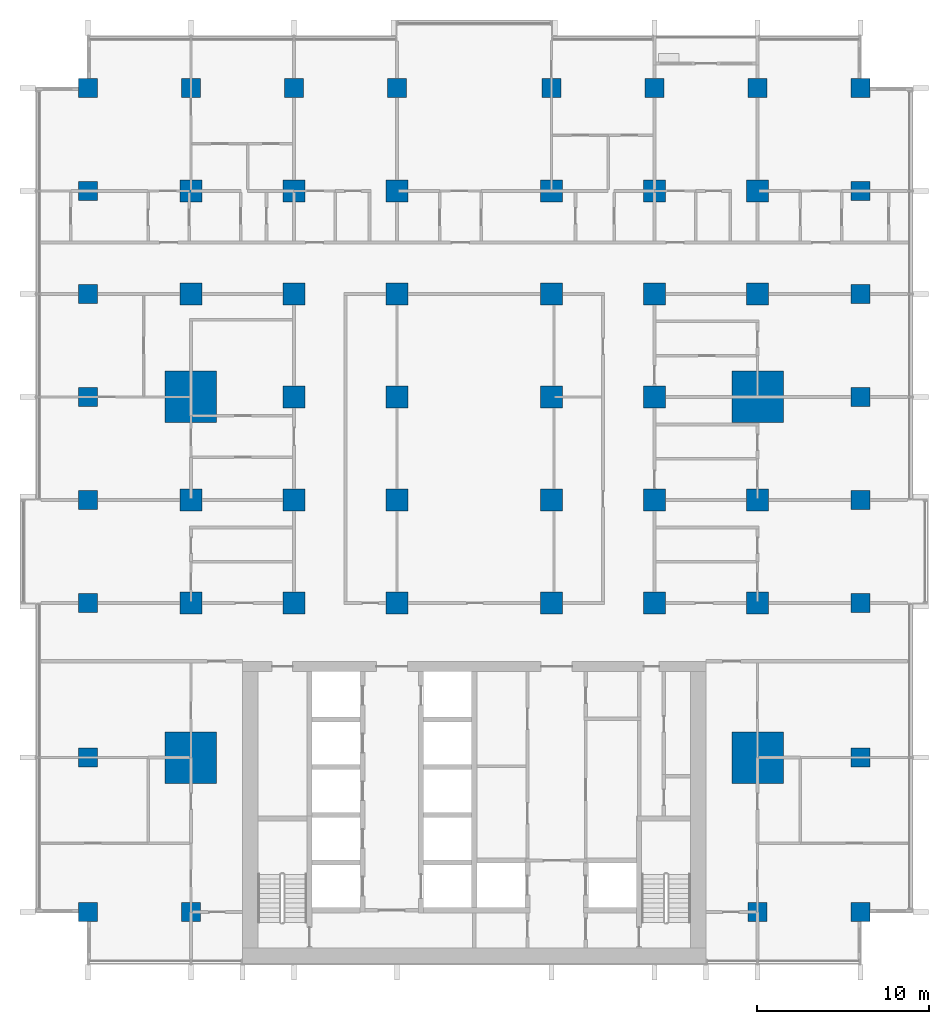
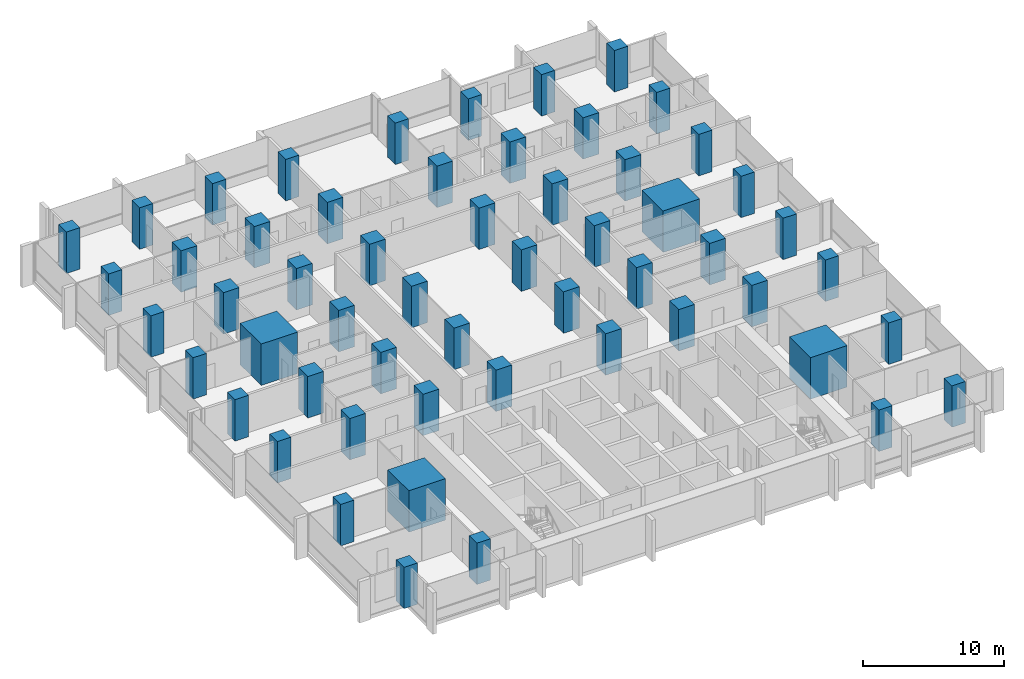
# One storey, part 1 of 18: 56 columns.
"""IFC4 building model written with IfcOpenShell, lengths in metres."""

import ifcopenshell
import ifcopenshell.guid

model = None  # the IFC model being written
_history = None  # IfcOwnerHistory: only IFC2X3 demands one
_inside = {}  # id of a spatial element -> (the spatial element, [elements in it])
_under = {}  # id of a project, library or spatial element -> (it, [spatial elements below it])
_declared = {}  # id of a project -> (the project, [libraries it declares])
_typed = {}  # id of a type object -> (the type object, [elements of that type])
_made_of = {}  # id of a material, layer set ... -> (it, [elements and type objects made of it])


def new_model(schema):
    """Start an empty IFC model of exactly this schema.

    Asked for "IFC4X3", IfcOpenShell would pick the latest addendum, in which some entities
    have other attributes; the version numbers below select the first issue.
    IFC2X3 requires an IfcOwnerHistory on every rooted entity: one is made here for all.
    """
    global model, _history
    if schema == "IFC4X3":
        model = ifcopenshell.file(schema_version=(4, 3, 0, 0))
    else:
        model = ifcopenshell.file(schema=schema)
    _inside.clear()
    _under.clear()
    _declared.clear()
    _typed.clear()
    _made_of.clear()
    _history = None
    if model.schema == "IFC2X3":
        org = make("IfcOrganization", Name="unknown")
        user = make(
            "IfcPersonAndOrganization",
            ThePerson=make("IfcPerson", FamilyName="unknown"),
            TheOrganization=org,
        )
        app = make(
            "IfcApplication",
            ApplicationDeveloper=org,
            Version="unknown",
            ApplicationFullName="unknown",
            ApplicationIdentifier="unknown",
        )
        _history = make(
            "IfcOwnerHistory",
            OwningUser=user,
            OwningApplication=app,
            ChangeAction="ADDED",
            CreationDate=0,
        )
    return model


def make(cls, **values):
    """One entity of the class cls with the attributes given. An attribute that is None is left unset."""
    return model.create_entity(
        cls, **{name: value for name, value in values.items() if value is not None}
    )


def rooted(cls, **values):
    """An entity with a GlobalId (a new one), such as an element, a storey or a relation."""
    return make(cls, GlobalId=ifcopenshell.guid.new(), OwnerHistory=_history, **values)


def si_unit(unit_type, name, prefix=None):
    """IfcSIUnit, for example si_unit("LENGTHUNIT", "METRE", prefix="MILLI")."""
    return make("IfcSIUnit", UnitType=unit_type, Prefix=prefix, Name=name)


def assignment(units):
    """IfcUnitAssignment: the units of a project."""
    return None if units is None else make("IfcUnitAssignment", Units=units)


def point(xyz):
    """IfcCartesianPoint."""
    return None if xyz is None else make("IfcCartesianPoint", Coordinates=xyz)


def direction(xyz):
    """IfcDirection."""
    return None if xyz is None else make("IfcDirection", DirectionRatios=xyz)


def frame(location, z_axis=None, x_axis=None):
    """IfcAxis2Placement3D, a coordinate frame: its origin and axes. An axis left out is left unset."""
    return make(
        "IfcAxis2Placement3D",
        Location=point(location),
        Axis=direction(z_axis),
        RefDirection=direction(x_axis),
    )


def frame_2d(location, x_axis=None):
    """IfcAxis2Placement2D, a coordinate frame in the plane: its origin and x axis."""
    return make(
        "IfcAxis2Placement2D", Location=point(location), RefDirection=direction(x_axis)
    )


def origin():
    """The frame at (0, 0, 0) with its axes left unset."""
    return frame((0.0, 0.0, 0.0))


def origin_2d():
    """The frame at (0, 0) in the plane with its x axis left unset."""
    return frame_2d((0.0, 0.0))


def place(relative_to, where):
    """IfcLocalPlacement: puts the frame where relative to a parent placement (None: the world)."""
    return make(
        "IfcLocalPlacement", PlacementRelTo=relative_to, RelativePlacement=where
    )


def context(
    kind, dimensions, precision=None, world=None, true_north=None, identifier=None
):
    """IfcGeometricRepresentationContext, for example the 3D "Model" context."""
    return make(
        "IfcGeometricRepresentationContext",
        ContextIdentifier=identifier,
        ContextType=kind,
        CoordinateSpaceDimension=dimensions,
        Precision=precision,
        WorldCoordinateSystem=world,
        TrueNorth=true_north,
    )


def subcontext(parent, identifier, kind, view, scale=None):
    """IfcGeometricRepresentationSubContext, for example "Body" below "Model"."""
    return make(
        "IfcGeometricRepresentationSubContext",
        ContextIdentifier=identifier,
        ContextType=kind,
        ParentContext=parent,
        TargetScale=scale,
        TargetView=view,
    )


def project(units=None, contexts=None):
    """IfcProject with its units and contexts."""
    return rooted(
        "IfcProject",
        Name="project",
        RepresentationContexts=contexts,
        UnitsInContext=assignment(units),
    )


def spatial(cls, under=None, at=None, **own):
    """A site, building, storey or space (cls), placed at a placement, below another one or the project."""
    s = rooted(cls, ObjectPlacement=at, **own)
    if under is not None:
        _under.setdefault(under.id(), (under, []))[1].append(s)
    return s


def profile(cls, at=None, kind="AREA", **sizes):
    """A parametric profile (cls). Its sizes go by their IFC names, for example OverallWidth=200.0."""
    return make(cls, ProfileType=kind, Position=at, **sizes)


def rectangle(**sizes):
    """IfcRectangleProfileDef."""
    return profile("IfcRectangleProfileDef", **sizes)


def extrude(swept, where, along, depth):
    """IfcExtrudedAreaSolid: the profile swept, set in the frame where, extruded along a direction by depth."""
    return make(
        "IfcExtrudedAreaSolid",
        SweptArea=swept,
        Position=where,
        ExtrudedDirection=direction(along),
        Depth=depth,
    )


def shape(context_of_items, identifier, shape_type, items):
    """IfcShapeRepresentation: the items that make up one representation, for example the "Body"."""
    return make(
        "IfcShapeRepresentation",
        ContextOfItems=context_of_items,
        RepresentationIdentifier=identifier,
        RepresentationType=shape_type,
        Items=items,
    )


def material(Name=None, Category=None):
    """IfcMaterial."""
    return make("IfcMaterial", Name=Name, Category=Category)


def material_profile(
    of_material, cross_section, Name=None, Category=None, Priority=None
):
    """IfcMaterialProfile: a cross section and its material."""
    return make(
        "IfcMaterialProfile",
        Name=Name,
        Material=of_material,
        Profile=cross_section,
        Priority=Priority,
        Category=Category,
    )


def profile_set(profiles, Name=None, composite=None):
    """IfcMaterialProfileSet."""
    return make(
        "IfcMaterialProfileSet",
        Name=Name,
        MaterialProfiles=profiles,
        CompositeProfile=composite,
    )


def made_of(thing, what):
    """Note that an element or type object is made of a material, layer set ...; save() writes the relation."""
    if what is not None:
        _made_of.setdefault(what.id(), (what, []))[1].append(thing)
    return thing


def type_object(cls, material=None, **own):
    """A type object (cls), such as IfcWallType, which elements share."""
    return made_of(rooted(cls, **own), material)


def element(
    cls,
    number,
    at=None,
    inside=None,
    cuts=None,
    type_object=None,
    material=None,
    context=None,
    identifier="Body",
    shape_type=None,
    held_by="IfcProductDefinitionShape",
    body=None,
    shapes=None,
    **own,
):
    """One element of the class cls, such as IfcWall. Its Tag is "e" and its number.

    at: its placement. inside: the storey or other place that contains it. cuts: it is an
    opening in that element (IfcRelVoidsElement). A single representation is given by context,
    identifier, shape_type and body (its items); several are given by shapes. held_by: the class
    of the entity that holds the representations. save() writes the other relations.
    """
    e = rooted(cls, Tag="e%d" % number, ObjectPlacement=at, **own)
    if body is not None:
        shapes = [shape(context, identifier, shape_type, body)]
    if shapes is not None:
        e.Representation = make(held_by, Representations=shapes)
    if inside is not None:
        _inside.setdefault(inside.id(), (inside, []))[1].append(e)
    if cuts is not None:
        rooted(
            "IfcRelVoidsElement", RelatingBuildingElement=cuts, RelatedOpeningElement=e
        )
    if type_object is not None:
        _typed.setdefault(type_object.id(), (type_object, []))[1].append(e)
    return made_of(e, material)


def aggregate(whole, parts):
    """IfcRelAggregates: a whole, such as a stair, and the parts it consists of."""
    return rooted("IfcRelAggregates", RelatingObject=whole, RelatedObjects=parts)


def save(model, path):
    """Write the relations noted so far, then the file.

    IfcRelAggregates (storeys below a building ...), IfcRelContainedInSpatialStructure (elements
    in a storey), IfcRelDefinesByType, IfcRelAssociatesMaterial and IfcRelDeclares: one each for
    every whole, place, type object, material and project.
    """
    for whole, parts in _under.values():
        aggregate(whole, parts)
    for where, things in _inside.values():
        rooted(
            "IfcRelContainedInSpatialStructure",
            RelatedElements=things,
            RelatingStructure=where,
        )
    for kind, things in _typed.values():
        rooted("IfcRelDefinesByType", RelatedObjects=things, RelatingType=kind)
    for what, things in _made_of.values():
        rooted("IfcRelAssociatesMaterial", RelatedObjects=things, RelatingMaterial=what)
    for by, libraries in _declared.values():
        rooted("IfcRelDeclares", RelatingContext=by, RelatedDefinitions=libraries)
    model.write(path)


model = new_model("IFC4")

# Units and contexts
model_context = context("Model", 3, precision=1e-05, world=origin(), true_north=direction((0.0, 1.0)))
body_context = subcontext(model_context, "Body", "Model", "MODEL_VIEW")
ifc_project = project(units=[si_unit("LENGTHUNIT", "METRE"), si_unit("AREAUNIT", "SQUARE_METRE"), si_unit("VOLUMEUNIT", "CUBIC_METRE"), si_unit("PLANEANGLEUNIT", "RADIAN"), si_unit("MASSUNIT", "GRAM", prefix="KILO")], contexts=[model_context])

# Site, building, storey
site_placement = place(None, origin())
site = spatial("IfcSite", under=ifc_project, at=site_placement, CompositionType="ELEMENT")
building_placement = place(site_placement, origin())
building = spatial("IfcBuilding", under=site, at=building_placement, Name="Finial Court Residences", CompositionType="ELEMENT")
storey_placement = place(building_placement, frame((0.0, 0.0, 57.699951171875)))
storey = spatial("IfcBuildingStorey", under=building, at=storey_placement, Name="L13", CompositionType="ELEMENT", Elevation=57.699951171875)

# Columns
ifc_material = material(Name="Concrete C80/95", Category="concrete")
ifc_material_profile_1 = material_profile(ifc_material, rectangle(XDim=1.300048828125, YDim=1.300048828125, at=origin_2d()), Name="1300x1300")
ifc_profile_set_1 = profile_set([ifc_material_profile_1], Name="Concrete C80/95")
column_type_1 = type_object("IfcColumnType", Name="Interior column 1300x1300 Concrete C80/95", PredefinedType="COLUMN", material=ifc_profile_set_1)
for number, where, z_axis, x_axis, name in (
    (1, (-16.5, -4.5, 0.0), (0.0, 0.0, 1.0), (1.0, 0.0, 0.0), "S:COL:L13:C4"),
    (2, (-16.5, 1.5, 0.0), (0.0, 0.0, 1.0), (1.0, 0.0, 0.0), "S:COL:L13:C5"),
    (3, (-16.5, 13.5, 0.0), (0.0, 0.0, 1.0), (1.0, 0.0, 0.0), "S:COL:L13:C7"),
    (4, (-16.5, 19.5, 0.0), (0.0, 0.0, 1.0), (1.0, 0.0, 0.0), "S:COL:L13:C8"),
    (5, (-10.5, -4.5, 0.0), (0.0, 0.0, 1.0), (1.0, 0.0, 0.0), "S:COL:L13:D4"),
    (6, (-10.5, 1.5, 0.0), (0.0, 0.0, 1.0), (1.0, 0.0, 0.0), "S:COL:L13:D5"),
    (7, (-10.5, 7.5, 0.0), (0.0, 0.0, 1.0), (1.0, 0.0, 0.0), "S:COL:L13:D6"),
    (8, (-10.5, 13.5, 0.0), (0.0, 0.0, 1.0), (1.0, 0.0, 0.0), "S:COL:L13:D7"),
    (9, (-10.5, 19.5, 0.0), (0.0, 0.0, 1.0), (1.0, 0.0, 0.0), "S:COL:L13:D8"),
    (10, (-4.5, -4.5, 0.0), (0.0, 0.0, 1.0), (1.0, 0.0, 0.0), "S:COL:L13:E4"),
    (11, (-4.5, 1.5, 0.0), (0.0, 0.0, 1.0), (1.0, 0.0, 0.0), "S:COL:L13:E5"),
    (12, (-4.5, 7.5, 0.0), (0.0, 0.0, 1.0), (1.0, 0.0, 0.0), "S:COL:L13:E6"),
    (13, (-4.5, 13.5, 0.0), (0.0, 0.0, 1.0), (1.0, 0.0, 0.0), "S:COL:L13:E7"),
    (14, (-4.5, 19.5, 0.0), (0.0, 0.0, 1.0), (1.0, 0.0, 0.0), "S:COL:L13:E8"),
    (15, (4.5, -4.5, 0.0), (0.0, 0.0, 1.0), (1.0, 0.0, 0.0), "S:COL:L13:F4"),
    (16, (4.5, 1.5, 0.0), (0.0, 0.0, 1.0), (1.0, 0.0, 0.0), "S:COL:L13:F5"),
    (17, (4.5, 7.5, 0.0), (0.0, 0.0, 1.0), (1.0, 0.0, 0.0), "S:COL:L13:F6"),
    (18, (4.5, 13.5, 0.0), (0.0, 0.0, 1.0), (1.0, 0.0, 0.0), "S:COL:L13:F7"),
    (19, (4.5, 19.5, 0.0), (0.0, 0.0, 1.0), (1.0, 0.0, 0.0), "S:COL:L13:F8"),
    (20, (10.5, -4.5, 0.0), (0.0, 0.0, 1.0), (1.0, 0.0, 0.0), "S:COL:L13:G4"),
    (21, (10.5, 1.5, 0.0), (0.0, 0.0, 1.0), (1.0, 0.0, 0.0), "S:COL:L13:G5"),
    (22, (10.5, 7.5, 0.0), (0.0, 0.0, 1.0), (1.0, 0.0, 0.0), "S:COL:L13:G6"),
    (23, (10.5, 13.5, 0.0), (0.0, 0.0, 1.0), (1.0, 0.0, 0.0), "S:COL:L13:G7"),
    (24, (10.5, 19.5, 0.0), (0.0, 0.0, 1.0), (1.0, 0.0, 0.0), "S:COL:L13:G8"),
    (25, (16.5, -4.5, 0.0), (0.0, 0.0, 1.0), (1.0, 0.0, 0.0), "S:COL:L13:H4"),
    (26, (16.5, 1.5, 0.0), (0.0, 0.0, 1.0), (1.0, 0.0, 0.0), "S:COL:L13:H5"),
    (27, (16.5, 13.5, 0.0), (0.0, 0.0, 1.0), (1.0, 0.0, 0.0), "S:COL:L13:H7"),
    (28, (16.5, 19.5, 0.0), (0.0, 0.0, 1.0), (1.0, 0.0, 0.0), "S:COL:L13:H8"),
):
    element("IfcColumn", number, at=place(storey_placement, frame(where, z_axis=z_axis, x_axis=x_axis)), inside=storey, type_object=column_type_1, Name=name, PredefinedType="COLUMN", context=body_context, shape_type="SweptSolid", body=[
        extrude(rectangle(XDim=1.300048828125, YDim=1.300048828125, at=origin_2d()), origin(), (0.0, 0.0, 1.0), 3.60009765625),
    ])
ifc_material_profile_2 = material_profile(ifc_material, rectangle(XDim=3.0, YDim=3.0, at=origin_2d()), Name="3000x3000")
ifc_profile_set_2 = profile_set([ifc_material_profile_2], Name="Concrete C80/95")
column_type_2 = type_object("IfcColumnType", Name="Mega column 3000x3000 Concrete C80/95", PredefinedType="COLUMN", material=ifc_profile_set_2)
for number, where, z_axis, x_axis, name in (
    (29, (-16.5, -13.5, 0.0), (0.0, 0.0, 1.0), (1.0, 0.0, 0.0), "S:COL:L13:C3"),
    (30, (-16.5, 7.5, 0.0), (0.0, 0.0, 1.0), (1.0, 0.0, 0.0), "S:COL:L13:C6"),
    (31, (16.5, -13.5, 0.0), (0.0, 0.0, 1.0), (1.0, 0.0, 0.0), "S:COL:L13:H3"),
    (32, (16.5, 7.5, 0.0), (0.0, 0.0, 1.0), (1.0, 0.0, 0.0), "S:COL:L13:H6"),
):
    element("IfcColumn", number, at=place(storey_placement, frame(where, z_axis=z_axis, x_axis=x_axis)), inside=storey, type_object=column_type_2, Name=name, PredefinedType="COLUMN", context=body_context, shape_type="SweptSolid", body=[
        extrude(rectangle(XDim=3.0, YDim=3.0, at=origin_2d()), origin(), (0.0, 0.0, 1.0), 3.60009765625),
    ])
ifc_material_profile_3 = material_profile(ifc_material, rectangle(XDim=1.10009765625, YDim=1.10009765625, at=origin_2d()), Name="1100x1100")
ifc_profile_set_3 = profile_set([ifc_material_profile_3], Name="Concrete C80/95")
column_type_3 = type_object("IfcColumnType", Name="Perimeter column 1100x1100 Concrete C80/95", PredefinedType="COLUMN", material=ifc_profile_set_3)
for number, where, z_axis, x_axis, name in (
    (33, (-22.5, -22.5, 0.0), (0.0, 0.0, 1.0), (1.0, 0.0, 0.0), "S:COL:L13:B2"),
    (34, (-22.5, -13.5, 0.0), (0.0, 0.0, 1.0), (1.0, 0.0, 0.0), "S:COL:L13:B3"),
    (35, (-22.5, -4.5, 0.0), (0.0, 0.0, 1.0), (1.0, 0.0, 0.0), "S:COL:L13:B4"),
    (36, (-22.5, 1.5, 0.0), (0.0, 0.0, 1.0), (1.0, 0.0, 0.0), "S:COL:L13:B5"),
    (37, (-22.5, 7.5, 0.0), (0.0, 0.0, 1.0), (1.0, 0.0, 0.0), "S:COL:L13:B6"),
    (38, (-22.5, 13.5, 0.0), (0.0, 0.0, 1.0), (1.0, 0.0, 0.0), "S:COL:L13:B7"),
    (39, (-22.5, 19.5, 0.0), (0.0, 0.0, 1.0), (1.0, 0.0, 0.0), "S:COL:L13:B8"),
    (40, (-22.5, 25.5, 0.0), (0.0, 0.0, 1.0), (1.0, 0.0, 0.0), "S:COL:L13:B9"),
    (41, (-16.5, -22.5, 0.0), (0.0, 0.0, 1.0), (1.0, 0.0, 0.0), "S:COL:L13:C2"),
    (42, (-16.5, 25.5, 0.0), (0.0, 0.0, 1.0), (1.0, 0.0, 0.0), "S:COL:L13:C9"),
    (43, (-10.5, 25.5, 0.0), (0.0, 0.0, 1.0), (1.0, 0.0, 0.0), "S:COL:L13:D9"),
    (44, (-4.5, 25.5, 0.0), (0.0, 0.0, 1.0), (1.0, 0.0, 0.0), "S:COL:L13:E9"),
    (45, (4.5, 25.5, 0.0), (0.0, 0.0, 1.0), (1.0, 0.0, 0.0), "S:COL:L13:F9"),
    (46, (10.5, 25.5, 0.0), (0.0, 0.0, 1.0), (1.0, 0.0, 0.0), "S:COL:L13:G9"),
    (47, (16.5, -22.5, 0.0), (0.0, 0.0, 1.0), (1.0, 0.0, 0.0), "S:COL:L13:H2"),
    (48, (16.5, 25.5, 0.0), (0.0, 0.0, 1.0), (1.0, 0.0, 0.0), "S:COL:L13:H9"),
    (49, (22.5, -22.5, 0.0), (0.0, 0.0, 1.0), (1.0, 0.0, 0.0), "S:COL:L13:I2"),
    (50, (22.5, -13.5, 0.0), (0.0, 0.0, 1.0), (1.0, 0.0, 0.0), "S:COL:L13:I3"),
    (51, (22.5, -4.5, 0.0), (0.0, 0.0, 1.0), (1.0, 0.0, 0.0), "S:COL:L13:I4"),
    (52, (22.5, 1.5, 0.0), (0.0, 0.0, 1.0), (1.0, 0.0, 0.0), "S:COL:L13:I5"),
    (53, (22.5, 7.5, 0.0), (0.0, 0.0, 1.0), (1.0, 0.0, 0.0), "S:COL:L13:I6"),
    (54, (22.5, 13.5, 0.0), (0.0, 0.0, 1.0), (1.0, 0.0, 0.0), "S:COL:L13:I7"),
    (55, (22.5, 19.5, 0.0), (0.0, 0.0, 1.0), (1.0, 0.0, 0.0), "S:COL:L13:I8"),
    (56, (22.5, 25.5, 0.0), (0.0, 0.0, 1.0), (1.0, 0.0, 0.0), "S:COL:L13:I9"),
):
    element("IfcColumn", number, at=place(storey_placement, frame(where, z_axis=z_axis, x_axis=x_axis)), inside=storey, type_object=column_type_3, Name=name, PredefinedType="COLUMN", context=body_context, shape_type="SweptSolid", body=[
        extrude(rectangle(XDim=1.10009765625, YDim=1.10009765625, at=origin_2d()), origin(), (0.0, 0.0, 1.0), 3.60009765625),
    ])

save(model, "model.ifc")
